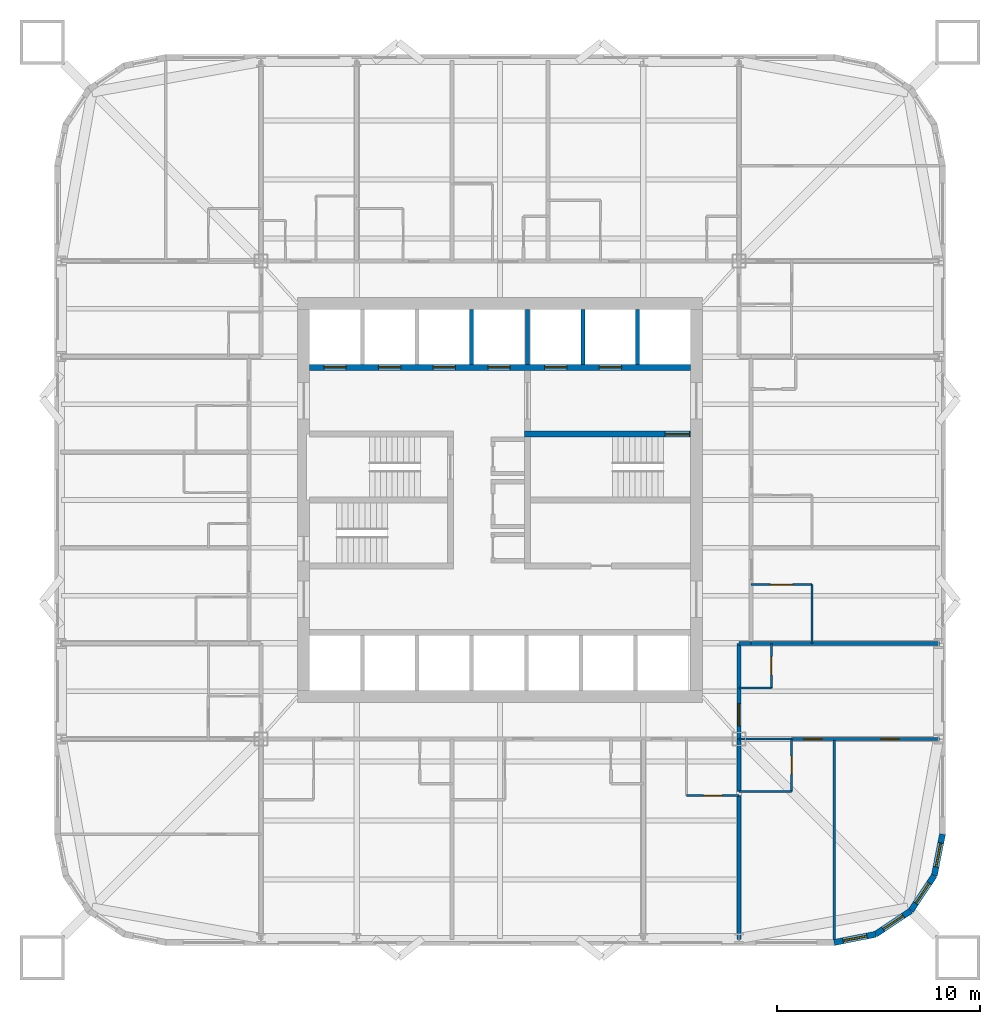
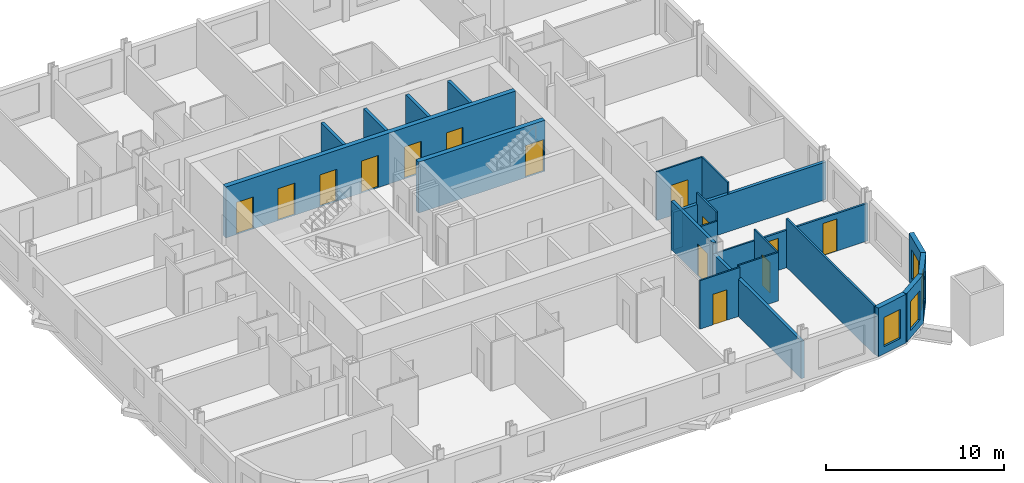
# One storey, part 5 of 9: 25 walls, 14 doors, 4 windows, 18 openings.
"""IFC4 building model written with IfcOpenShell, lengths in metres."""

from ifc_helpers import new_model, si_unit, direction, frame, frame_2d, origin, place, context, subcontext, project, spatial, rectangle, extrude, material, layer, layer_set, type_object, element, fill, save


model = new_model("IFC4")

# Units and contexts
model_context = context("Model", 3, precision=1e-05, world=origin(), true_north=direction((0.0, 1.0)))
body_context = subcontext(model_context, "Body", "Model", "MODEL_VIEW")
ifc_project = project(units=[si_unit("LENGTHUNIT", "METRE"), si_unit("AREAUNIT", "SQUARE_METRE"), si_unit("VOLUMEUNIT", "CUBIC_METRE"), si_unit("PLANEANGLEUNIT", "RADIAN"), si_unit("MASSUNIT", "GRAM", prefix="KILO")], contexts=[model_context])

# Site, building, storey
site_placement = place(None, origin())
site = spatial("IfcSite", under=ifc_project, at=site_placement, CompositionType="ELEMENT")
building_placement = place(site_placement, origin())
building = spatial("IfcBuilding", under=site, at=building_placement, Name="Turquesa Mirador Hotel Tower", CompositionType="ELEMENT")
storey_placement = place(building_placement, frame((0.0, 0.0, 49.5)))
storey = spatial("IfcBuildingStorey", under=building, at=storey_placement, Name="L12", CompositionType="ELEMENT", Elevation=49.5)

# Walls
ifc_material_1 = material(Name="Gypsum board on steel studs", Category="steel")
ifc_layer_1 = layer(ifc_material_1, 0.10009765625)
ifc_layer_set_1 = layer_set([ifc_layer_1], Name="BATHROOM WALL 100")
wall_type_1 = type_object("IfcWallType", Name="BATHROOM WALL 100", PredefinedType="PARTITIONING", material=ifc_layer_set_1)
wall_1_placement = place(storey_placement, frame((66.800048828125, 33.199951171875, 0.0), z_axis=(0.0, 0.0, 1.0), x_axis=(1.0, 0.0, 0.0)))
element("IfcWall", 1, at=wall_1_placement, inside=storey, type_object=wall_type_1, Name="Partition L12 002", PredefinedType="PARTITIONING", context=body_context, shape_type="SweptSolid", body=[
    extrude(rectangle(XDim=2.599853515625, YDim=0.10009765625, at=frame_2d((1.2998046875, 0.0))), origin(), (0.0, 0.0, 1.0), 2.572998046875),
])
wall_2_placement = place(storey_placement, frame((66.800048828125, 30.60009765625, 0.0), z_axis=(0.0, 0.0, 1.0), x_axis=(1.0, 0.0, 0.0)))
element("IfcWall", 2, at=wall_2_placement, inside=storey, type_object=wall_type_1, Name="Partition L12 008", PredefinedType="PARTITIONING", context=body_context, shape_type="SweptSolid", body=[
    extrude(rectangle(XDim=2.599853515625, YDim=0.10009765625, at=frame_2d((1.2998046875, 0.0))), origin(), (0.0, 0.0, 1.0), 3.330078125),
])

# Wall, opening, door
wall_3_placement = place(storey_placement, frame((64.199951171875, 30.39990234375, 0.0), z_axis=(0.0, 0.0, 1.0), x_axis=(1.0, 0.0, 0.0)))
wall_3 = element("IfcWall", 3, at=wall_3_placement, inside=storey, type_object=wall_type_1, Name="Partition L12 009", PredefinedType="PARTITIONING", context=body_context, shape_type="SweptSolid", body=[
    extrude(rectangle(XDim=2.60009765625, YDim=0.10009765625, at=frame_2d((1.300048828125, 0.0))), origin(), (0.0, 0.0, 1.0), 3.330078125),
])
opening_1_placement = place(wall_3_placement, frame((0.85009765625, 0.0, 0.0)))
opening_1 = element("IfcOpeningElement", 4, at=opening_1_placement, cuts=wall_3, Name="Opening D02", PredefinedType="OPENING", context=body_context, shape_type="SweptSolid", body=[
    extrude(rectangle(XDim=0.89990234375, YDim=2.10009765625, at=frame_2d((0.449951171875, 1.050048828125))), frame((0.0, 0.06005859375, 0.0), z_axis=(0.0, -1.0, 0.0), x_axis=(1.0, 0.0, 0.0)), (0.0, 0.0, 1.0), 0.1201171875),
])
ifc_material_2 = material(Name="Timber veneered door", Category="wood")
door_type_1 = type_object("IfcDoorType", Name="DOOR 900X2100 EN-SUITE", OperationType="SINGLE_SWING_RIGHT", PredefinedType="DOOR", material=ifc_material_2)
door_1_placement = place(opening_1_placement, origin())
door_1 = element("IfcDoor", 5, at=door_1_placement, inside=storey, type_object=door_type_1, Name="Door 1207B", OperationType="SINGLE_SWING_RIGHT", OverallHeight=2.10009765625, OverallWidth=0.89990234375, PredefinedType="DOOR", context=body_context, shape_type="SweptSolid", body=[
    extrude(rectangle(XDim=0.89990234375, YDim=2.10009765625, at=frame_2d((0.449951171875, 1.050048828125))), frame((0.0, 0.02490234375, 0.0), z_axis=(0.0, -1.0, 0.0), x_axis=(1.0, 0.0, 0.0)), (0.0, 0.0, 1.0), 0.050048828125),
])
fill(opening_1, door_1)

wall_4_placement = place(storey_placement, frame((67.39990234375, 40.820068359375, 0.0), z_axis=(0.0, 0.0, 1.0), x_axis=(1.0, 0.0, 0.0)))
wall_4 = element("IfcWall", 6, at=wall_4_placement, inside=storey, type_object=wall_type_1, Name="Partition L12 015", PredefinedType="PARTITIONING", context=body_context, shape_type="SweptSolid", body=[
    extrude(rectangle(XDim=3.0, YDim=0.10009765625, at=frame_2d((1.5, 0.0))), origin(), (0.0, 0.0, 1.0), 3.330078125),
])
opening_2_placement = place(wall_4_placement, frame((0.949951171875, 0.0, 0.0)))
opening_2 = element("IfcOpeningElement", 7, at=opening_2_placement, cuts=wall_4, Name="Opening D16", PredefinedType="OPENING", context=body_context, shape_type="SweptSolid", body=[
    extrude(rectangle(XDim=1.10009765625, YDim=2.10009765625, at=frame_2d((0.550048828125, 1.050048828125))), frame((0.0, 0.06005859375, 0.0), z_axis=(0.0, -1.0, 0.0), x_axis=(1.0, 0.0, 0.0)), (0.0, 0.0, 1.0), 0.1201171875),
])
ifc_material_3 = material(Name="Timber veneered sliding door", Category="wood")
door_type_2 = type_object("IfcDoorType", Name="DOOR 1100X2100 ACCESSIBLE EN-SUITE", OperationType="SLIDING_TO_LEFT", PredefinedType="DOOR", material=ifc_material_3)
door_2_placement = place(opening_2_placement, origin())
door_2 = element("IfcDoor", 8, at=door_2_placement, inside=storey, type_object=door_type_2, Name="Door 1208B", OperationType="SLIDING_TO_LEFT", OverallHeight=2.10009765625, OverallWidth=1.10009765625, PredefinedType="DOOR", context=body_context, shape_type="SweptSolid", body=[
    extrude(rectangle(XDim=1.10009765625, YDim=2.10009765625, at=frame_2d((0.550048828125, 1.050048828125))), frame((0.0, 0.02490234375, 0.0), z_axis=(0.0, -1.0, 0.0), x_axis=(1.0, 0.0, 0.0)), (0.0, 0.0, 1.0), 0.050048828125),
])
fill(opening_2, door_2)

# Wall
wall_5_placement = place(storey_placement, frame((66.800048828125, 35.719970703125, 0.0), z_axis=(0.0, 0.0, 1.0), x_axis=(1.0, 0.0, 0.0)))
element("IfcWall", 9, at=wall_5_placement, inside=storey, type_object=wall_type_1, Name="Partition L12 021", PredefinedType="PARTITIONING", context=body_context, shape_type="SweptSolid", body=[
    extrude(rectangle(XDim=1.599853515625, YDim=0.10009765625, at=frame_2d((0.7998046875, 0.0))), origin(), (0.0, 0.0, 1.0), 2.722900390625),
])

# Wall, opening, door
wall_6_placement = place(storey_placement, frame((68.39990234375, 35.719970703125, 0.0), z_axis=(0.0, 0.0, 1.0), x_axis=(0.0, 1.0, 0.0)))
wall_6 = element("IfcWall", 10, at=wall_6_placement, inside=storey, type_object=wall_type_1, Name="Partition L12 080", PredefinedType="PARTITIONING", context=body_context, shape_type="SweptSolid", body=[
    extrude(rectangle(XDim=2.199951171875, YDim=0.10009765625, at=frame_2d((1.10009765625, 0.0))), origin(), (0.0, 0.0, 1.0), 3.330078125),
])
opening_3_placement = place(wall_6_placement, frame((0.64990234375, 0.0, 0.0)))
opening_3 = element("IfcOpeningElement", 11, at=opening_3_placement, cuts=wall_6, Name="Opening D06", PredefinedType="OPENING", context=body_context, shape_type="SweptSolid", body=[
    extrude(rectangle(XDim=0.89990234375, YDim=2.10009765625, at=frame_2d((0.449951171875, 1.050048828125))), frame((0.0, 0.06005859375, 0.0), z_axis=(0.0, -1.0, 0.0), x_axis=(1.0, 0.0, 0.0)), (0.0, 0.0, 1.0), 0.1201171875),
])
ifc_material_4 = material(Name="Laminate door", Category="wood")
door_type_3 = type_object("IfcDoorType", Name="DOOR 900X2100 WC", OperationType="SINGLE_SWING_LEFT", PredefinedType="DOOR", material=ifc_material_4)
door_3_placement = place(opening_3_placement, origin())
door_3 = element("IfcDoor", 12, at=door_3_placement, inside=storey, type_object=door_type_3, Name="Door 1216W", OperationType="SINGLE_SWING_LEFT", OverallHeight=2.10009765625, OverallWidth=0.89990234375, PredefinedType="DOOR", context=body_context, shape_type="SweptSolid", body=[
    extrude(rectangle(XDim=0.89990234375, YDim=2.10009765625, at=frame_2d((0.449951171875, 1.050048828125))), frame((0.0, 0.02490234375, 0.0), z_axis=(0.0, -1.0, 0.0), x_axis=(1.0, 0.0, 0.0)), (0.0, 0.0, 1.0), 0.050048828125),
])
fill(opening_3, door_3)

wall_7_placement = place(storey_placement, frame((69.39990234375, 30.60009765625, 0.0), z_axis=(0.0, 0.0, 1.0), x_axis=(0.0, 1.0, 0.0)))
wall_7 = element("IfcWall", 13, at=wall_7_placement, inside=storey, type_object=wall_type_1, Name="Partition L12 081", PredefinedType="PARTITIONING", context=body_context, shape_type="SweptSolid", body=[
    extrude(rectangle(XDim=2.599853515625, YDim=0.10009765625, at=frame_2d((1.2998046875, 0.0))), origin(), (0.0, 0.0, 1.0), 3.330078125),
])
opening_4_placement = place(wall_7_placement, frame((0.85009765625, 0.0, 0.0)))
opening_4 = element("IfcOpeningElement", 14, at=opening_4_placement, cuts=wall_7, Name="Opening D02", PredefinedType="OPENING", context=body_context, shape_type="SweptSolid", body=[
    extrude(rectangle(XDim=0.89990234375, YDim=2.10009765625, at=frame_2d((0.449951171875, 1.050048828125))), frame((0.0, 0.06005859375, 0.0), z_axis=(0.0, -1.0, 0.0), x_axis=(1.0, 0.0, 0.0)), (0.0, 0.0, 1.0), 0.1201171875),
])
door_4_placement = place(opening_4_placement, origin())
door_4 = element("IfcDoor", 15, at=door_4_placement, inside=storey, type_object=door_type_1, Name="Door 1216B", OperationType="SINGLE_SWING_RIGHT", OverallHeight=2.10009765625, OverallWidth=0.89990234375, PredefinedType="DOOR", context=body_context, shape_type="SweptSolid", body=[
    extrude(rectangle(XDim=0.89990234375, YDim=2.10009765625, at=frame_2d((0.449951171875, 1.050048828125))), frame((0.0, 0.02490234375, 0.0), z_axis=(0.0, -1.0, 0.0), x_axis=(1.0, 0.0, 0.0)), (0.0, 0.0, 1.0), 0.050048828125),
])
fill(opening_4, door_4)

# Wall
wall_8_placement = place(storey_placement, frame((70.39990234375, 37.919921875, 0.0), z_axis=(0.0, 0.0, 1.0), x_axis=(0.0, 1.0, 0.0)))
element("IfcWall", 16, at=wall_8_placement, inside=storey, type_object=wall_type_1, Name="Partition L12 085", PredefinedType="PARTITIONING", context=body_context, shape_type="SweptSolid", body=[
    extrude(rectangle(XDim=2.900146484375, YDim=0.10009765625, at=frame_2d((1.4501953125, 0.0))), origin(), (0.0, 0.0, 1.0), 3.330078125),
])

# Wall, openings, doors
ifc_material_5 = material(Name="Concrete C50/60", Category="concrete")
ifc_layer_2 = layer(ifc_material_5, 0.300048828125)
ifc_layer_set_2 = layer_set([ifc_layer_2], Name="CORE INNER WALL 300")
wall_type_2 = type_object("IfcWallType", Name="CORE INNER WALL 300", PredefinedType="SHEAR", material=ifc_layer_set_2)
wall_9_placement = place(storey_placement, frame((45.60009765625, 51.550048828125, 0.0), z_axis=(0.0, 0.0, 1.0), x_axis=(1.0, 0.0, 0.0)))
wall_9 = element("IfcWall", 17, at=wall_9_placement, inside=storey, type_object=wall_type_2, Name="Core wall NL", PredefinedType="SHEAR", context=body_context, shape_type="SweptSolid", body=[
    extrude(rectangle(XDim=18.7998046875, YDim=0.300048828125, at=frame_2d((9.39990234375, 0.0))), origin(), (0.0, 0.0, 1.0), 3.5),
])
opening_5_placement = place(wall_9_placement, frame((0.699951171875, 0.0, 0.0)))
opening_5 = element("IfcOpeningElement", 18, at=opening_5_placement, cuts=wall_9, Name="Opening LD", PredefinedType="OPENING", context=body_context, shape_type="SweptSolid", body=[
    extrude(rectangle(XDim=1.10009765625, YDim=2.199951171875, at=frame_2d((0.550048828125, 1.10009765625))), frame((0.0, 0.159912109375, 0.0), z_axis=(0.0, -1.0, 0.0), x_axis=(1.0, 0.0, 0.0)), (0.0, 0.0, 1.0), 0.320068359375),
])
opening_6_placement = place(wall_9_placement, frame((3.39990234375, 0.0, 0.0)))
opening_6 = element("IfcOpeningElement", 19, at=opening_6_placement, cuts=wall_9, Name="Opening LD", PredefinedType="OPENING", context=body_context, shape_type="SweptSolid", body=[
    extrude(rectangle(XDim=1.10009765625, YDim=2.199951171875, at=frame_2d((0.550048828125, 1.10009765625))), frame((0.0, 0.159912109375, 0.0), z_axis=(0.0, -1.0, 0.0), x_axis=(1.0, 0.0, 0.0)), (0.0, 0.0, 1.0), 0.320068359375),
])
opening_7_placement = place(wall_9_placement, frame((6.10009765625, 0.0, 0.0)))
opening_7 = element("IfcOpeningElement", 20, at=opening_7_placement, cuts=wall_9, Name="Opening LD", PredefinedType="OPENING", context=body_context, shape_type="SweptSolid", body=[
    extrude(rectangle(XDim=1.10009765625, YDim=2.199951171875, at=frame_2d((0.550048828125, 1.10009765625))), frame((0.0, 0.159912109375, 0.0), z_axis=(0.0, -1.0, 0.0), x_axis=(1.0, 0.0, 0.0)), (0.0, 0.0, 1.0), 0.320068359375),
])
opening_8_placement = place(wall_9_placement, frame((8.800048828125, 0.0, 0.0)))
opening_8 = element("IfcOpeningElement", 21, at=opening_8_placement, cuts=wall_9, Name="Opening LD", PredefinedType="OPENING", context=body_context, shape_type="SweptSolid", body=[
    extrude(rectangle(XDim=1.10009765625, YDim=2.199951171875, at=frame_2d((0.550048828125, 1.10009765625))), frame((0.0, 0.159912109375, 0.0), z_axis=(0.0, -1.0, 0.0), x_axis=(1.0, 0.0, 0.0)), (0.0, 0.0, 1.0), 0.320068359375),
])
opening_9_placement = place(wall_9_placement, frame((11.60009765625, 0.0, 0.0)))
opening_9 = element("IfcOpeningElement", 22, at=opening_9_placement, cuts=wall_9, Name="Opening LD", PredefinedType="OPENING", context=body_context, shape_type="SweptSolid", body=[
    extrude(rectangle(XDim=1.10009765625, YDim=2.199951171875, at=frame_2d((0.550048828125, 1.10009765625))), frame((0.0, 0.159912109375, 0.0), z_axis=(0.0, -1.0, 0.0), x_axis=(1.0, 0.0, 0.0)), (0.0, 0.0, 1.0), 0.320068359375),
])
opening_10_placement = place(wall_9_placement, frame((14.300048828125, 0.0, 0.0)))
opening_10 = element("IfcOpeningElement", 23, at=opening_10_placement, cuts=wall_9, Name="Opening LD", PredefinedType="OPENING", context=body_context, shape_type="SweptSolid", body=[
    extrude(rectangle(XDim=1.10009765625, YDim=2.199951171875, at=frame_2d((0.550048828125, 1.10009765625))), frame((0.0, 0.159912109375, 0.0), z_axis=(0.0, -1.0, 0.0), x_axis=(1.0, 0.0, 0.0)), (0.0, 0.0, 1.0), 0.320068359375),
])
ifc_material_6 = material(Name="Stainless steel lift landing door", Category="steel")
door_type_4 = type_object("IfcDoorType", Name="LIFT LANDING DOOR 1100X2200", OperationType="SLIDING_TO_LEFT", PredefinedType="DOOR", material=ifc_material_6)
door_5_placement = place(opening_5_placement, origin())
door_5 = element("IfcDoor", 24, at=door_5_placement, inside=storey, type_object=door_type_4, Name="Lift A1 landing door", OperationType="SLIDING_TO_LEFT", OverallHeight=2.199951171875, OverallWidth=1.10009765625, PredefinedType="DOOR", context=body_context, shape_type="SweptSolid", body=[
    extrude(rectangle(XDim=1.10009765625, YDim=2.199951171875, at=frame_2d((0.550048828125, 1.10009765625))), frame((0.0, 0.02490234375, 0.0), z_axis=(0.0, -1.0, 0.0), x_axis=(1.0, 0.0, 0.0)), (0.0, 0.0, 1.0), 0.050048828125),
])
fill(opening_5, door_5)
door_6_placement = place(opening_6_placement, origin())
door_6 = element("IfcDoor", 25, at=door_6_placement, inside=storey, type_object=door_type_4, Name="Lift A2 landing door", OperationType="SLIDING_TO_LEFT", OverallHeight=2.199951171875, OverallWidth=1.10009765625, PredefinedType="DOOR", context=body_context, shape_type="SweptSolid", body=[
    extrude(rectangle(XDim=1.10009765625, YDim=2.199951171875, at=frame_2d((0.550048828125, 1.10009765625))), frame((0.0, 0.02490234375, 0.0), z_axis=(0.0, -1.0, 0.0), x_axis=(1.0, 0.0, 0.0)), (0.0, 0.0, 1.0), 0.050048828125),
])
fill(opening_6, door_6)
door_7_placement = place(opening_7_placement, origin())
door_7 = element("IfcDoor", 26, at=door_7_placement, inside=storey, type_object=door_type_4, Name="Lift A3 landing door", OperationType="SLIDING_TO_LEFT", OverallHeight=2.199951171875, OverallWidth=1.10009765625, PredefinedType="DOOR", context=body_context, shape_type="SweptSolid", body=[
    extrude(rectangle(XDim=1.10009765625, YDim=2.199951171875, at=frame_2d((0.550048828125, 1.10009765625))), frame((0.0, 0.02490234375, 0.0), z_axis=(0.0, -1.0, 0.0), x_axis=(1.0, 0.0, 0.0)), (0.0, 0.0, 1.0), 0.050048828125),
])
fill(opening_7, door_7)
door_8_placement = place(opening_8_placement, origin())
door_8 = element("IfcDoor", 27, at=door_8_placement, inside=storey, type_object=door_type_4, Name="Lift A4 landing door", OperationType="SLIDING_TO_LEFT", OverallHeight=2.199951171875, OverallWidth=1.10009765625, PredefinedType="DOOR", context=body_context, shape_type="SweptSolid", body=[
    extrude(rectangle(XDim=1.10009765625, YDim=2.199951171875, at=frame_2d((0.550048828125, 1.10009765625))), frame((0.0, 0.02490234375, 0.0), z_axis=(0.0, -1.0, 0.0), x_axis=(1.0, 0.0, 0.0)), (0.0, 0.0, 1.0), 0.050048828125),
])
fill(opening_8, door_8)
door_9_placement = place(opening_9_placement, origin())
door_9 = element("IfcDoor", 28, at=door_9_placement, inside=storey, type_object=door_type_4, Name="Lift S1 landing door", OperationType="SLIDING_TO_LEFT", OverallHeight=2.199951171875, OverallWidth=1.10009765625, PredefinedType="DOOR", context=body_context, shape_type="SweptSolid", body=[
    extrude(rectangle(XDim=1.10009765625, YDim=2.199951171875, at=frame_2d((0.550048828125, 1.10009765625))), frame((0.0, 0.02490234375, 0.0), z_axis=(0.0, -1.0, 0.0), x_axis=(1.0, 0.0, 0.0)), (0.0, 0.0, 1.0), 0.050048828125),
])
fill(opening_9, door_9)
door_10_placement = place(opening_10_placement, origin())
door_10 = element("IfcDoor", 29, at=door_10_placement, inside=storey, type_object=door_type_4, Name="Lift S2 landing door", OperationType="SLIDING_TO_LEFT", OverallHeight=2.199951171875, OverallWidth=1.10009765625, PredefinedType="DOOR", context=body_context, shape_type="SweptSolid", body=[
    extrude(rectangle(XDim=1.10009765625, YDim=2.199951171875, at=frame_2d((0.550048828125, 1.10009765625))), frame((0.0, 0.02490234375, 0.0), z_axis=(0.0, -1.0, 0.0), x_axis=(1.0, 0.0, 0.0)), (0.0, 0.0, 1.0), 0.050048828125),
])
fill(opening_10, door_10)

# Wall, opening, door
wall_10_placement = place(storey_placement, frame((56.199951171875, 48.25, 0.0), z_axis=(0.0, 0.0, 1.0), x_axis=(1.0, 0.0, 0.0)))
wall_10 = element("IfcWall", 30, at=wall_10_placement, inside=storey, type_object=wall_type_2, Name="Core wall MN-E", PredefinedType="SHEAR", context=body_context, shape_type="SweptSolid", body=[
    extrude(rectangle(XDim=8.199951171875, YDim=0.300048828125, at=frame_2d((4.10009765625, 0.0))), origin(), (0.0, 0.0, 1.0), 3.5),
])
opening_11_placement = place(wall_10_placement, frame((6.949951171875, 0.0, 0.0)))
opening_11 = element("IfcOpeningElement", 31, at=opening_11_placement, cuts=wall_10, Name="Opening D03", PredefinedType="OPENING", context=body_context, shape_type="SweptSolid", body=[
    extrude(rectangle(XDim=1.199951171875, YDim=2.199951171875, at=frame_2d((0.60009765625, 1.10009765625))), frame((0.0, 0.159912109375, 0.0), z_axis=(0.0, -1.0, 0.0), x_axis=(1.0, 0.0, 0.0)), (0.0, 0.0, 1.0), 0.320068359375),
])
ifc_material_7 = material(Name="Steel fire door", Category="steel")
door_type_5 = type_object("IfcDoorType", Name="DOOR 1200X2200 STAIR", OperationType="SINGLE_SWING_LEFT", PredefinedType="DOOR", material=ifc_material_7)
door_11_placement = place(opening_11_placement, origin())
door_11 = element("IfcDoor", 32, at=door_11_placement, inside=storey, type_object=door_type_5, Name="Stair ST3 door", OperationType="SINGLE_SWING_LEFT", OverallHeight=2.199951171875, OverallWidth=1.199951171875, PredefinedType="DOOR", context=body_context, shape_type="SweptSolid", body=[
    extrude(rectangle(XDim=1.199951171875, YDim=2.199951171875, at=frame_2d((0.60009765625, 1.10009765625))), frame((0.0, 0.02490234375, 0.0), z_axis=(0.0, -1.0, 0.0), x_axis=(1.0, 0.0, 0.0)), (0.0, 0.0, 1.0), 0.050048828125),
])
fill(opening_11, door_11)

# Wall
ifc_material_8 = material(Name="Fire-rated gypsum board on steel studs", Category="steel")
ifc_layer_3 = layer(ifc_material_8, 0.199951171875)
ifc_layer_set_3 = layer_set([ifc_layer_3], Name="CORRIDOR WALL 200")
wall_type_3 = type_object("IfcWallType", Name="CORRIDOR WALL 200", PredefinedType="PARTITIONING", material=ifc_layer_set_3)
wall_11_placement = place(storey_placement, frame((66.800048828125, 37.919921875, 0.0), z_axis=(0.0, 0.0, 1.0), x_axis=(1.0, 0.0, 0.0)))
element("IfcWall", 33, at=wall_11_placement, inside=storey, type_object=wall_type_3, Name="Partition L12 018", PredefinedType="PARTITIONING", context=body_context, shape_type="SweptSolid", body=[
    extrude(rectangle(XDim=0.599853515625, YDim=0.199951171875, at=frame_2d((0.2998046875, 0.0))), origin(), (0.0, 0.0, 1.0), 2.572998046875),
])

# Wall, opening, door
wall_12_placement = place(storey_placement, frame((66.800048828125, 33.199951171875, 0.0), z_axis=(0.0, 0.0, 1.0), x_axis=(0.0, 1.0, 0.0)))
wall_12 = element("IfcWall", 34, at=wall_12_placement, inside=storey, type_object=wall_type_3, Name="Partition L12 074", PredefinedType="PARTITIONING", context=body_context, shape_type="SweptSolid", body=[
    extrude(rectangle(XDim=4.719970703125, YDim=0.199951171875, at=frame_2d((2.35986328125, 0.0))), origin(), (0.0, 0.0, 1.0), 3.330078125),
])
opening_12_placement = place(wall_12_placement, frame((0.64990234375, 0.0, 0.0)))
opening_12 = element("IfcOpeningElement", 35, at=opening_12_placement, cuts=wall_12, Name="Opening D15", PredefinedType="OPENING", context=body_context, shape_type="SweptSolid", body=[
    extrude(rectangle(XDim=1.10009765625, YDim=2.199951171875, at=frame_2d((0.550048828125, 1.10009765625))), frame((0.0, 0.10986328125, 0.0), z_axis=(0.0, -1.0, 0.0), x_axis=(1.0, 0.0, 0.0)), (0.0, 0.0, 1.0), 0.219970703125),
])
ifc_material_9 = material(Name="Timber veneered fire door", Category="wood")
door_type_6 = type_object("IfcDoorType", Name="DOOR 1100X2200 SUITE ENTRY", OperationType="SINGLE_SWING_LEFT", PredefinedType="DOOR", material=ifc_material_9)
door_12_placement = place(opening_12_placement, origin())
door_12 = element("IfcDoor", 36, at=door_12_placement, inside=storey, type_object=door_type_6, Name="Door 1216", OperationType="SINGLE_SWING_LEFT", OverallHeight=2.199951171875, OverallWidth=1.10009765625, PredefinedType="DOOR", context=body_context, shape_type="SweptSolid", body=[
    extrude(rectangle(XDim=1.10009765625, YDim=2.199951171875, at=frame_2d((0.550048828125, 1.10009765625))), frame((0.0, 0.02490234375, 0.0), z_axis=(0.0, -1.0, 0.0), x_axis=(1.0, 0.0, 0.0)), (0.0, 0.0, 1.0), 0.050048828125),
])
fill(opening_12, door_12)

# Wall, opening, window
ifc_material_10 = material(Name="Limestone cladding on concrete block", Category="masonry")
ifc_layer_4 = layer(ifc_material_10, 0.300048828125)
ifc_layer_set_4 = layer_set([ifc_layer_4], Name="FACADE WALL 300 STONE SCREEN")
wall_type_4 = type_object("IfcWallType", Name="FACADE WALL 300 STONE SCREEN", PredefinedType="SOLIDWALL", material=ifc_layer_set_4)
wall_13_placement = place(storey_placement, frame((71.5, 23.14990234375, 0.0), z_axis=(0.0, 0.0, 1.0), x_axis=(0.980787050784, 0.195081421501, 0.0)))
wall_13 = element("IfcWall", 37, at=wall_13_placement, inside=storey, type_object=wall_type_4, Name="Facade wall L12 00", PredefinedType="SOLIDWALL", context=body_context, shape_type="SweptSolid", body=[
    extrude(rectangle(XDim=2.08740234375, YDim=0.300048828125, at=frame_2d((1.043701171875, 0.0))), origin(), (0.0, 0.0, 1.0), 3.330078125),
])
opening_13_placement = place(wall_13_placement, frame((0.443603515625, 0.0, 0.5)))
opening_13 = element("IfcOpeningElement", 38, at=opening_13_placement, cuts=wall_13, Name="Opening WN4", PredefinedType="OPENING", context=body_context, shape_type="SweptSolid", body=[
    extrude(rectangle(XDim=1.199951171875, YDim=2.0, at=frame_2d((0.60009765625, 1.0))), frame((0.0, 0.159912109375, 0.0), z_axis=(0.0, -1.0, 0.0), x_axis=(1.0, 0.0, 0.0)), (0.0, 0.0, 1.0), 0.320068359375),
])
ifc_material_11 = material(Name="Ceramic-fritted laminated glass", Category="glass")
window_type = type_object("IfcWindowType", Name="FRITTED CORNER WINDOW 1200X2000", PartitioningType="DOUBLE_PANEL_HORIZONTAL", PredefinedType="WINDOW", material=ifc_material_11)
window_1_placement = place(opening_13_placement, origin())
window_1 = element("IfcWindow", 39, at=window_1_placement, inside=storey, type_object=window_type, Name="Window L12", OverallHeight=2.0, OverallWidth=1.199951171875, PartitioningType="SINGLE_PANEL", PredefinedType="WINDOW", context=body_context, shape_type="SweptSolid", body=[
    extrude(rectangle(XDim=1.199951171875, YDim=2.0, at=frame_2d((0.60009765625, 1.0))), frame((0.0, 0.030029296875, 0.0), z_axis=(0.0, -1.0, 0.0), x_axis=(1.0, 0.0, 0.0)), (0.0, 0.0, 1.0), 0.06005859375),
])
fill(opening_13, window_1)

wall_14_placement = place(storey_placement, frame((73.54736328125, 23.55712890625, 0.0), z_axis=(0.0, 0.0, 1.0), x_axis=(0.831420010345, 0.555644460423, 0.0)))
wall_14 = element("IfcWall", 40, at=wall_14_placement, inside=storey, type_object=wall_type_4, Name="Facade wall L12 01", PredefinedType="SOLIDWALL", context=body_context, shape_type="SweptSolid", body=[
    extrude(rectangle(XDim=2.08740234375, YDim=0.300048828125, at=frame_2d((1.043701171875, 0.0))), origin(), (0.0, 0.0, 1.0), 3.330078125),
])
opening_14_placement = place(wall_14_placement, frame((0.443603515625, 0.0, 0.5)))
opening_14 = element("IfcOpeningElement", 41, at=opening_14_placement, cuts=wall_14, Name="Opening WN4", PredefinedType="OPENING", context=body_context, shape_type="SweptSolid", body=[
    extrude(rectangle(XDim=1.199951171875, YDim=2.0, at=frame_2d((0.60009765625, 1.0))), frame((0.0, 0.159912109375, 0.0), z_axis=(0.0, -1.0, 0.0), x_axis=(1.0, 0.0, 0.0)), (0.0, 0.0, 1.0), 0.320068359375),
])
window_2_placement = place(opening_14_placement, origin())
window_2 = element("IfcWindow", 42, at=window_2_placement, inside=storey, type_object=window_type, Name="Window L12", OverallHeight=2.0, OverallWidth=1.199951171875, PartitioningType="SINGLE_PANEL", PredefinedType="WINDOW", context=body_context, shape_type="SweptSolid", body=[
    extrude(rectangle(XDim=1.199951171875, YDim=2.0, at=frame_2d((0.60009765625, 1.0))), frame((0.0, 0.030029296875, 0.0), z_axis=(0.0, -1.0, 0.0), x_axis=(1.0, 0.0, 0.0)), (0.0, 0.0, 1.0), 0.06005859375),
])
fill(opening_14, window_2)

wall_15_placement = place(storey_placement, frame((75.282958984375, 24.717041015625, 0.0), z_axis=(0.0, 0.0, 1.0), x_axis=(0.555644460423, 0.831420010345, 0.0)))
wall_15 = element("IfcWall", 43, at=wall_15_placement, inside=storey, type_object=wall_type_4, Name="Facade wall L12 02", PredefinedType="SOLIDWALL", context=body_context, shape_type="SweptSolid", body=[
    extrude(rectangle(XDim=2.08740234375, YDim=0.300048828125, at=frame_2d((1.043701171875, 0.0))), origin(), (0.0, 0.0, 1.0), 3.330078125),
])
opening_15_placement = place(wall_15_placement, frame((0.443603515625, 0.0, 0.5)))
opening_15 = element("IfcOpeningElement", 44, at=opening_15_placement, cuts=wall_15, Name="Opening WN4", PredefinedType="OPENING", context=body_context, shape_type="SweptSolid", body=[
    extrude(rectangle(XDim=1.199951171875, YDim=2.0, at=frame_2d((0.60009765625, 1.0))), frame((0.0, 0.159912109375, 0.0), z_axis=(0.0, -1.0, 0.0), x_axis=(1.0, 0.0, 0.0)), (0.0, 0.0, 1.0), 0.320068359375),
])
window_3_placement = place(opening_15_placement, origin())
window_3 = element("IfcWindow", 45, at=window_3_placement, inside=storey, type_object=window_type, Name="Window L12", OverallHeight=2.0, OverallWidth=1.199951171875, PartitioningType="SINGLE_PANEL", PredefinedType="WINDOW", context=body_context, shape_type="SweptSolid", body=[
    extrude(rectangle(XDim=1.199951171875, YDim=2.0, at=frame_2d((0.60009765625, 1.0))), frame((0.0, 0.030029296875, 0.0), z_axis=(0.0, -1.0, 0.0), x_axis=(1.0, 0.0, 0.0)), (0.0, 0.0, 1.0), 0.06005859375),
])
fill(opening_15, window_3)

wall_16_placement = place(storey_placement, frame((76.44287109375, 26.45263671875, 0.0), z_axis=(0.0, 0.0, 1.0), x_axis=(0.195081421501, 0.980787050784, 0.0)))
wall_16 = element("IfcWall", 46, at=wall_16_placement, inside=storey, type_object=wall_type_4, Name="Facade wall L12 03", PredefinedType="SOLIDWALL", context=body_context, shape_type="SweptSolid", body=[
    extrude(rectangle(XDim=2.08740234375, YDim=0.300048828125, at=frame_2d((1.043701171875, 0.0))), origin(), (0.0, 0.0, 1.0), 3.330078125),
])
opening_16_placement = place(wall_16_placement, frame((0.443603515625, 0.0, 0.5)))
opening_16 = element("IfcOpeningElement", 47, at=opening_16_placement, cuts=wall_16, Name="Opening WN4", PredefinedType="OPENING", context=body_context, shape_type="SweptSolid", body=[
    extrude(rectangle(XDim=1.199951171875, YDim=2.0, at=frame_2d((0.60009765625, 1.0))), frame((0.0, 0.159912109375, 0.0), z_axis=(0.0, -1.0, 0.0), x_axis=(1.0, 0.0, 0.0)), (0.0, 0.0, 1.0), 0.320068359375),
])
window_4_placement = place(opening_16_placement, origin())
window_4 = element("IfcWindow", 48, at=window_4_placement, inside=storey, type_object=window_type, Name="Window L12", OverallHeight=2.0, OverallWidth=1.199951171875, PartitioningType="SINGLE_PANEL", PredefinedType="WINDOW", context=body_context, shape_type="SweptSolid", body=[
    extrude(rectangle(XDim=1.199951171875, YDim=2.0, at=frame_2d((0.60009765625, 1.0))), frame((0.0, 0.030029296875, 0.0), z_axis=(0.0, -1.0, 0.0), x_axis=(1.0, 0.0, 0.0)), (0.0, 0.0, 1.0), 0.06005859375),
])
fill(opening_16, window_4)

# Walls
ifc_material_12 = material(Name="Fire-rated gypsum shaft wall on steel studs", Category="steel")
ifc_layer_5 = layer(ifc_material_12, 0.199951171875)
ifc_layer_set_5 = layer_set([ifc_layer_5], Name="LIFT SHAFT DIVIDER 200")
wall_type_5 = type_object("IfcWallType", Name="LIFT SHAFT DIVIDER 200", PredefinedType="PARTITIONING", material=ifc_layer_set_5)
for number, where, z_axis, x_axis, name in (
    (49, (53.60009765625, 51.699951171875, 0.0), (0.0, 0.0, 1.0), (0.0, 1.0, 0.0), "Lift shaft divider"),
    (50, (59.10009765625, 51.699951171875, 0.0), (0.0, 0.0, 1.0), (0.0, 1.0, 0.0), "Lift shaft divider"),
    (51, (61.800048828125, 51.699951171875, 0.0), (0.0, 0.0, 1.0), (0.0, 1.0, 0.0), "Lift shaft divider"),
    (52, (56.35009765625, 51.699951171875, 0.0), (0.0, 0.0, 1.0), (0.0, 1.0, 0.0), "Lift shaft divider"),
):
    element("IfcWall", number, at=place(storey_placement, frame(where, z_axis=z_axis, x_axis=x_axis)), inside=storey, type_object=wall_type_5, Name=name, PredefinedType="PARTITIONING", context=body_context, shape_type="SweptSolid", body=[
        extrude(rectangle(XDim=2.699951171875, YDim=0.199951171875, at=frame_2d((1.35009765625, 0.0))), origin(), (0.0, 0.0, 1.0), 3.330078125),
    ])
ifc_material_13 = material(Name="Fire-rated gypsum board on steel studs", Category="steel")
ifc_layer_6 = layer(ifc_material_13, 0.199951171875)
ifc_layer_set_6 = layer_set([ifc_layer_6], Name="PARTY WALL 200")
wall_type_6 = type_object("IfcWallType", Name="PARTY WALL 200", PredefinedType="PARTITIONING", material=ifc_layer_set_6)
wall_17_placement = place(storey_placement, frame((67.39990234375, 37.919921875, 0.0), z_axis=(0.0, 0.0, 1.0), x_axis=(1.0, 0.0, 0.0)))
element("IfcWall", 53, at=wall_17_placement, inside=storey, type_object=wall_type_6, Name="Partition L12 020", PredefinedType="PARTITIONING", context=body_context, shape_type="SweptSolid", body=[
    extrude(rectangle(XDim=9.300048828125, YDim=0.199951171875, at=frame_2d((4.64990234375, 0.0))), origin(), (0.0, 0.0, 1.0), 2.572998046875),
])
wall_18_placement = place(storey_placement, frame((66.800048828125, 23.300048828125, 0.0), z_axis=(0.0, 0.0, 1.0), x_axis=(0.0, 1.0, 0.0)))
element("IfcWall", 54, at=wall_18_placement, inside=storey, type_object=wall_type_6, Name="Partition L12 076", PredefinedType="PARTITIONING", context=body_context, shape_type="SweptSolid", body=[
    extrude(rectangle(XDim=7.099853515625, YDim=0.199951171875, at=frame_2d((3.5498046875, 0.0))), origin(), (0.0, 0.0, 1.0), 2.572998046875),
])
wall_19_placement = place(storey_placement, frame((66.800048828125, 30.60009765625, 0.0), z_axis=(0.0, 0.0, 1.0), x_axis=(0.0, 1.0, 0.0)))
element("IfcWall", 55, at=wall_19_placement, inside=storey, type_object=wall_type_6, Name="Partition L12 077", PredefinedType="PARTITIONING", context=body_context, shape_type="SweptSolid", body=[
    extrude(rectangle(XDim=2.599853515625, YDim=0.199951171875, at=frame_2d((1.2998046875, 0.0))), origin(), (0.0, 0.0, 1.0), 2.572998046875),
])

# Wall, openings, doors
ifc_material_14 = material(Name="Acoustic gypsum board on steel studs", Category="steel")
ifc_layer_7 = layer(ifc_material_14, 0.125)
ifc_layer_set_7 = layer_set([ifc_layer_7], Name="SUITE PARTITION 125")
wall_type_7 = type_object("IfcWallType", Name="SUITE PARTITION 125", PredefinedType="PARTITIONING", material=ifc_layer_set_7)
wall_20_placement = place(storey_placement, frame((69.39990234375, 33.199951171875, 0.0), z_axis=(0.0, 0.0, 1.0), x_axis=(1.0, 0.0, 0.0)))
wall_20 = element("IfcWall", 56, at=wall_20_placement, inside=storey, type_object=wall_type_7, Name="Partition L12 005", PredefinedType="PARTITIONING", context=body_context, shape_type="SweptSolid", body=[
    extrude(rectangle(XDim=7.300048828125, YDim=0.125, at=frame_2d((3.64990234375, 0.0))), origin(), (0.0, 0.0, 1.0), 2.572998046875),
])
opening_17_placement = place(wall_20_placement, frame((0.60009765625, 0.0, 0.0)))
opening_17 = element("IfcOpeningElement", 57, at=opening_17_placement, cuts=wall_20, Name="Opening D17", PredefinedType="OPENING", context=body_context, shape_type="SweptSolid", body=[
    extrude(rectangle(XDim=0.89990234375, YDim=2.199951171875, at=frame_2d((0.449951171875, 1.10009765625))), frame((0.0, 0.072509765625, 0.0), z_axis=(0.0, -1.0, 0.0), x_axis=(1.0, 0.0, 0.0)), (0.0, 0.0, 1.0), 0.14501953125),
])
opening_18_placement = place(wall_20_placement, frame((4.39990234375, 0.0, 0.0)))
opening_18 = element("IfcOpeningElement", 58, at=opening_18_placement, cuts=wall_20, Name="Opening D17", PredefinedType="OPENING", context=body_context, shape_type="SweptSolid", body=[
    extrude(rectangle(XDim=0.89990234375, YDim=2.199951171875, at=frame_2d((0.449951171875, 1.10009765625))), frame((0.0, 0.072509765625, 0.0), z_axis=(0.0, -1.0, 0.0), x_axis=(1.0, 0.0, 0.0)), (0.0, 0.0, 1.0), 0.14501953125),
])
ifc_material_15 = material(Name="Timber veneered door", Category="wood")
door_type_7 = type_object("IfcDoorType", Name="DOOR 900X2200 SUITE INTERNAL", OperationType="SINGLE_SWING_LEFT", PredefinedType="DOOR", material=ifc_material_15)
door_13_placement = place(opening_17_placement, origin())
door_13 = element("IfcDoor", 59, at=door_13_placement, inside=storey, type_object=door_type_7, Name="Door 1216R", OperationType="SINGLE_SWING_LEFT", OverallHeight=2.199951171875, OverallWidth=0.89990234375, PredefinedType="DOOR", context=body_context, shape_type="SweptSolid", body=[
    extrude(rectangle(XDim=0.89990234375, YDim=2.199951171875, at=frame_2d((0.449951171875, 1.10009765625))), frame((0.0, 0.02490234375, 0.0), z_axis=(0.0, -1.0, 0.0), x_axis=(1.0, 0.0, 0.0)), (0.0, 0.0, 1.0), 0.050048828125),
])
fill(opening_17, door_13)
door_14_placement = place(opening_18_placement, origin())
door_14 = element("IfcDoor", 60, at=door_14_placement, inside=storey, type_object=door_type_7, Name="Door 1216S", OperationType="SINGLE_SWING_LEFT", OverallHeight=2.199951171875, OverallWidth=0.89990234375, PredefinedType="DOOR", context=body_context, shape_type="SweptSolid", body=[
    extrude(rectangle(XDim=0.89990234375, YDim=2.199951171875, at=frame_2d((0.449951171875, 1.10009765625))), frame((0.0, 0.02490234375, 0.0), z_axis=(0.0, -1.0, 0.0), x_axis=(1.0, 0.0, 0.0)), (0.0, 0.0, 1.0), 0.050048828125),
])
fill(opening_18, door_14)

# Wall
wall_21_placement = place(storey_placement, frame((71.5, 23.305908203125, 0.0), z_axis=(0.0, 0.0, 1.0), x_axis=(0.0, 1.0, 0.0)))
element("IfcWall", 61, at=wall_21_placement, inside=storey, type_object=wall_type_7, Name="Partition L12 087", PredefinedType="PARTITIONING", context=body_context, shape_type="SweptSolid", body=[
    extrude(rectangle(XDim=9.89404296875, YDim=0.125, at=frame_2d((4.947021484375, 0.0))), origin(), (0.0, 0.0, 1.0), 3.330078125),
])

save(model, "model.ifc")
